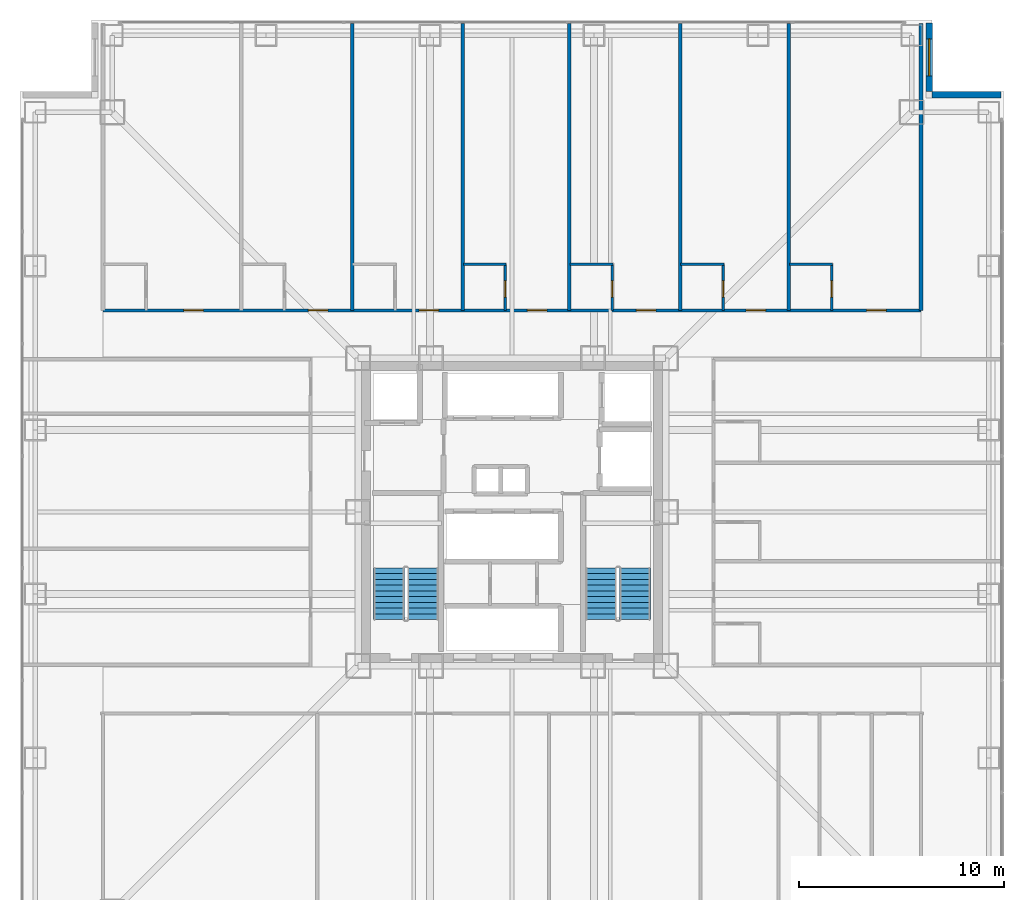
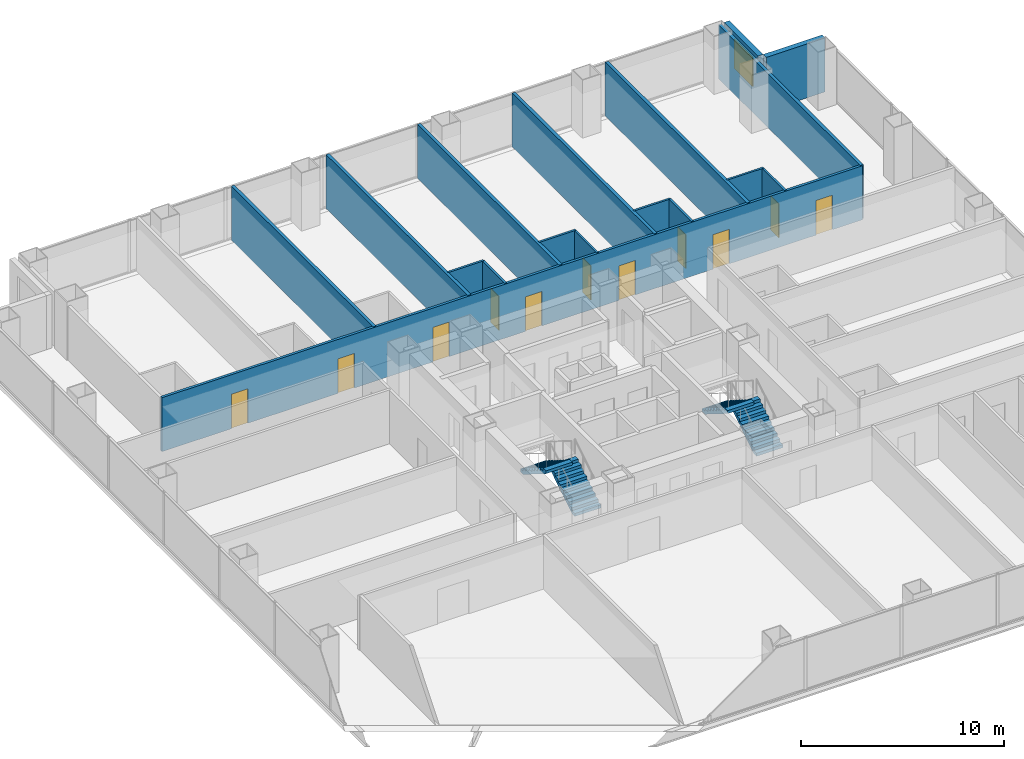
# One storey, part 13 of 16: 17 walls, 11 doors, 4 stair flights, 1 window, 12 openings, 2 elements without a shape of their own.
"""IFC4 building model written with IfcOpenShell, lengths in metres."""

from ifc_helpers import new_model, si_unit, direction, frame, frame_2d, origin, place, context, subcontext, project, spatial, polyline, rectangle, outline, extrude, material, layer, layer_set, type_object, element, fill, aggregate, save


model = new_model("IFC4")

# Units and contexts
model_context = context("Model", 3, precision=1e-05, world=origin(), true_north=direction((0.0, 1.0)))
body_context = subcontext(model_context, "Body", "Model", "MODEL_VIEW")
ifc_project = project(units=[si_unit("LENGTHUNIT", "METRE"), si_unit("AREAUNIT", "SQUARE_METRE"), si_unit("VOLUMEUNIT", "CUBIC_METRE"), si_unit("PLANEANGLEUNIT", "RADIAN"), si_unit("MASSUNIT", "GRAM", prefix="KILO")], contexts=[model_context])

# Site, building, storey
site_placement = place(None, origin())
site = spatial("IfcSite", under=ifc_project, at=site_placement, CompositionType="ELEMENT")
building_placement = place(site_placement, origin())
building = spatial("IfcBuilding", under=site, at=building_placement, Name="Trevonay Congress Spire", CompositionType="ELEMENT")
storey_placement = place(building_placement, frame((0.0, 0.0, 72.5)))
storey = spatial("IfcBuildingStorey", under=building, at=storey_placement, Name="L18", CompositionType="ELEMENT", Elevation=72.5)

# Wall, opening, door
ifc_material_1 = material(Name="Concrete C40/50", Category="concrete")
ifc_layer_1 = layer(ifc_material_1, 0.1201171875, Name="Concrete C40/50")
ifc_layer_set_1 = layer_set([ifc_layer_1], Name="Concrete C40/50")
wall_type_1 = type_object("IfcWallType", Name="WAL-BATH-120", PredefinedType="PLUMBINGWALL", material=ifc_layer_set_1)
wall_1_placement = place(storey_placement, frame((-0.3349609375, 9.830078125, 0.0), z_axis=(0.0, 0.0, 1.0), x_axis=(0.0, 1.0, 0.0)))
wall_1 = element("IfcWall", 1, at=wall_1_placement, inside=storey, type_object=wall_type_1, Name="L18 interior wall WH-L18N-BS4", PredefinedType="PLUMBINGWALL", context=body_context, shape_type="SweptSolid", body=[
    extrude(rectangle(XDim=2.25, YDim=0.1201171875, at=frame_2d((1.125, 0.0))), origin(), (0.0, 0.0, 1.0), 3.25),
])
opening_1_placement = place(wall_1_placement, frame((0.64990234375, 0.0, 0.0)))
opening_1 = element("IfcOpeningElement", 2, at=opening_1_placement, cuts=wall_1, Name="Opening D11", PredefinedType="OPENING", context=body_context, shape_type="SweptSolid", body=[
    extrude(rectangle(XDim=0.800048828125, YDim=2.050048828125, at=frame_2d((0.39990234375, 1.02490234375))), frame((0.0, 0.070068359375, 0.0), z_axis=(0.0, -1.0, 0.0), x_axis=(1.0, 0.0, 0.0)), (0.0, 0.0, 1.0), 0.14013671875),
])
ifc_material_2 = material(Name="Pale Anodised Aluminium EN AW-6063-T6", Category="aluminium")
door_type_1 = type_object("IfcDoorType", Name="DOR-BATH-80", OperationType="NOTDEFINED", PredefinedType="DOOR", material=ifc_material_2)
door_1_placement = place(opening_1_placement, origin())
door_1 = element("IfcDoor", 3, at=door_1_placement, inside=storey, type_object=door_type_1, Name="L18 En-suite Bathroom Door", OperationType="SINGLE_SWING_RIGHT", OverallHeight=2.050048828125, OverallWidth=0.800048828125, PredefinedType="DOOR", context=body_context, shape_type="SweptSolid", body=[
    extrude(rectangle(XDim=0.800048828125, YDim=2.050048828125, at=frame_2d((0.39990234375, 1.02490234375))), frame((0.0, 0.02490234375, 0.0), z_axis=(0.0, -1.0, 0.0), x_axis=(1.0, 0.0, 0.0)), (0.0, 0.0, 1.0), 0.050048828125),
])
fill(opening_1, door_1)

# Wall
wall_2_placement = place(storey_placement, frame((-2.3701171875, 12.080078125, 0.0), z_axis=(0.0, 0.0, 1.0), x_axis=(1.0, 0.0, 0.0)))
element("IfcWall", 4, at=wall_2_placement, inside=storey, type_object=wall_type_1, Name="L18 interior wall WH-L18N-BF4", PredefinedType="PLUMBINGWALL", context=body_context, shape_type="SweptSolid", body=[
    extrude(rectangle(XDim=2.065185546875, YDim=0.1201171875, at=frame_2d((1.03271484375, 0.0))), origin(), (0.0, 0.0, 1.0), 3.25),
])

# Wall, opening, door
wall_3_placement = place(storey_placement, frame((4.89990234375, 9.830078125, 0.0), z_axis=(0.0, 0.0, 1.0), x_axis=(0.0, 1.0, 0.0)))
wall_3 = element("IfcWall", 5, at=wall_3_placement, inside=storey, type_object=wall_type_1, Name="L18 interior wall WH-L18N-BS5", PredefinedType="PLUMBINGWALL", context=body_context, shape_type="SweptSolid", body=[
    extrude(rectangle(XDim=2.25, YDim=0.1201171875, at=frame_2d((1.125, 0.0))), origin(), (0.0, 0.0, 1.0), 3.25),
])
opening_2_placement = place(wall_3_placement, frame((0.64990234375, 0.0, 0.0)))
opening_2 = element("IfcOpeningElement", 6, at=opening_2_placement, cuts=wall_3, Name="Opening D11", PredefinedType="OPENING", context=body_context, shape_type="SweptSolid", body=[
    extrude(rectangle(XDim=0.800048828125, YDim=2.050048828125, at=frame_2d((0.39990234375, 1.02490234375))), frame((0.0, 0.070068359375, 0.0), z_axis=(0.0, -1.0, 0.0), x_axis=(1.0, 0.0, 0.0)), (0.0, 0.0, 1.0), 0.14013671875),
])
door_2_placement = place(opening_2_placement, origin())
door_2 = element("IfcDoor", 7, at=door_2_placement, inside=storey, type_object=door_type_1, Name="L18 En-suite Bathroom Door", OperationType="SINGLE_SWING_LEFT", OverallHeight=2.050048828125, OverallWidth=0.800048828125, PredefinedType="DOOR", context=body_context, shape_type="SweptSolid", body=[
    extrude(rectangle(XDim=0.800048828125, YDim=2.050048828125, at=frame_2d((0.39990234375, 1.02490234375))), frame((0.0, 0.02490234375, 0.0), z_axis=(0.0, -1.0, 0.0), x_axis=(1.0, 0.0, 0.0)), (0.0, 0.0, 1.0), 0.050048828125),
])
fill(opening_2, door_2)

# Wall
wall_4_placement = place(storey_placement, frame((2.830078125, 12.080078125, 0.0), z_axis=(0.0, 0.0, 1.0), x_axis=(1.0, 0.0, 0.0)))
element("IfcWall", 8, at=wall_4_placement, inside=storey, type_object=wall_type_1, Name="L18 interior wall WH-L18N-BF5", PredefinedType="PLUMBINGWALL", context=body_context, shape_type="SweptSolid", body=[
    extrude(rectangle(XDim=2.099853515625, YDim=0.1201171875, at=frame_2d((1.0498046875, 0.0))), origin(), (0.0, 0.0, 1.0), 3.25),
])

# Wall, opening, door
wall_5_placement = place(storey_placement, frame((10.300048828125, 9.830078125, 0.0), z_axis=(0.0, 0.0, 1.0), x_axis=(0.0, 1.0, 0.0)))
wall_5 = element("IfcWall", 9, at=wall_5_placement, inside=storey, type_object=wall_type_1, Name="L18 interior wall WH-L18N-BS6", PredefinedType="PLUMBINGWALL", context=body_context, shape_type="SweptSolid", body=[
    extrude(rectangle(XDim=2.25, YDim=0.1201171875, at=frame_2d((1.125, 0.0))), origin(), (0.0, 0.0, 1.0), 3.25),
])
opening_3_placement = place(wall_5_placement, frame((0.64990234375, 0.0, 0.0)))
opening_3 = element("IfcOpeningElement", 10, at=opening_3_placement, cuts=wall_5, Name="Opening D11", PredefinedType="OPENING", context=body_context, shape_type="SweptSolid", body=[
    extrude(rectangle(XDim=0.800048828125, YDim=2.050048828125, at=frame_2d((0.39990234375, 1.02490234375))), frame((0.0, 0.070068359375, 0.0), z_axis=(0.0, -1.0, 0.0), x_axis=(1.0, 0.0, 0.0)), (0.0, 0.0, 1.0), 0.14013671875),
])
door_3_placement = place(opening_3_placement, origin())
door_3 = element("IfcDoor", 11, at=door_3_placement, inside=storey, type_object=door_type_1, Name="L18 En-suite Bathroom Door", OperationType="SINGLE_SWING_RIGHT", OverallHeight=2.050048828125, OverallWidth=0.800048828125, PredefinedType="DOOR", context=body_context, shape_type="SweptSolid", body=[
    extrude(rectangle(XDim=0.800048828125, YDim=2.050048828125, at=frame_2d((0.39990234375, 1.02490234375))), frame((0.0, 0.02490234375, 0.0), z_axis=(0.0, -1.0, 0.0), x_axis=(1.0, 0.0, 0.0)), (0.0, 0.0, 1.0), 0.050048828125),
])
fill(opening_3, door_3)

# Wall
wall_6_placement = place(storey_placement, frame((8.22998046875, 12.080078125, 0.0), z_axis=(0.0, 0.0, 1.0), x_axis=(1.0, 0.0, 0.0)))
element("IfcWall", 12, at=wall_6_placement, inside=storey, type_object=wall_type_1, Name="L18 interior wall WH-L18N-BF6", PredefinedType="PLUMBINGWALL", context=body_context, shape_type="SweptSolid", body=[
    extrude(rectangle(XDim=2.10009765625, YDim=0.1201171875, at=frame_2d((1.050048828125, 0.0))), origin(), (0.0, 0.0, 1.0), 3.25),
])

# Wall, opening, door
wall_7_placement = place(storey_placement, frame((15.60009765625, 9.830078125, 0.0), z_axis=(0.0, 0.0, 1.0), x_axis=(0.0, 1.0, 0.0)))
wall_7 = element("IfcWall", 13, at=wall_7_placement, inside=storey, type_object=wall_type_1, Name="L18 interior wall WH-L18N-BS7", PredefinedType="PLUMBINGWALL", context=body_context, shape_type="SweptSolid", body=[
    extrude(rectangle(XDim=2.25, YDim=0.1201171875, at=frame_2d((1.125, 0.0))), origin(), (0.0, 0.0, 1.0), 3.25),
])
opening_4_placement = place(wall_7_placement, frame((0.64990234375, 0.0, 0.0)))
opening_4 = element("IfcOpeningElement", 14, at=opening_4_placement, cuts=wall_7, Name="Opening D11", PredefinedType="OPENING", context=body_context, shape_type="SweptSolid", body=[
    extrude(rectangle(XDim=0.800048828125, YDim=2.050048828125, at=frame_2d((0.39990234375, 1.02490234375))), frame((0.0, 0.070068359375, 0.0), z_axis=(0.0, -1.0, 0.0), x_axis=(1.0, 0.0, 0.0)), (0.0, 0.0, 1.0), 0.14013671875),
])
door_4_placement = place(opening_4_placement, origin())
door_4 = element("IfcDoor", 15, at=door_4_placement, inside=storey, type_object=door_type_1, Name="L18 En-suite Bathroom Door", OperationType="SINGLE_SWING_LEFT", OverallHeight=2.050048828125, OverallWidth=0.800048828125, PredefinedType="DOOR", context=body_context, shape_type="SweptSolid", body=[
    extrude(rectangle(XDim=0.800048828125, YDim=2.050048828125, at=frame_2d((0.39990234375, 1.02490234375))), frame((0.0, 0.02490234375, 0.0), z_axis=(0.0, -1.0, 0.0), x_axis=(1.0, 0.0, 0.0)), (0.0, 0.0, 1.0), 0.050048828125),
])
fill(opening_4, door_4)

# Wall
wall_8_placement = place(storey_placement, frame((13.530029296875, 12.080078125, 0.0), z_axis=(0.0, 0.0, 1.0), x_axis=(1.0, 0.0, 0.0)))
element("IfcWall", 16, at=wall_8_placement, inside=storey, type_object=wall_type_1, Name="L18 interior wall WH-L18N-BF7", PredefinedType="PLUMBINGWALL", context=body_context, shape_type="SweptSolid", body=[
    extrude(rectangle(XDim=2.099853515625, YDim=0.1201171875, at=frame_2d((1.0498046875, 0.0))), origin(), (0.0, 0.0, 1.0), 3.25),
])

# Wall, openings, doors
ifc_layer_2 = layer(ifc_material_1, 0.14990234375, Name="Concrete C40/50")
ifc_layer_set_2 = layer_set([ifc_layer_2], Name="Concrete C40/50")
wall_type_2 = type_object("IfcWallType", Name="WAL-CORR-150", PredefinedType="PARTITIONING", material=ifc_layer_set_2)
wall_9_placement = place(storey_placement, frame((-19.949951171875, 9.830078125, 0.0), z_axis=(0.0, 0.0, 1.0), x_axis=(1.0, 0.0, 0.0)))
wall_9 = element("IfcWall", 17, at=wall_9_placement, inside=storey, type_object=wall_type_2, Name="L18 interior wall WH-L18N-COR", PredefinedType="PARTITIONING", context=body_context, shape_type="SweptSolid", body=[
    extrude(rectangle(XDim=39.89990234375, YDim=0.14990234375, at=frame_2d((19.949951171875, 0.0))), origin(), (0.0, 0.0, 1.0), 3.25),
])
opening_5_placement = place(wall_9_placement, frame((3.945068359375, 0.0, 0.0)))
opening_5 = element("IfcOpeningElement", 18, at=opening_5_placement, cuts=wall_9, Name="Opening D08", PredefinedType="OPENING", context=body_context, shape_type="SweptSolid", body=[
    extrude(rectangle(XDim=0.949951171875, YDim=2.080078125, at=frame_2d((0.47509765625, 1.0400390625))), frame((0.0, 0.0849609375, 0.0), z_axis=(0.0, -1.0, 0.0), x_axis=(1.0, 0.0, 0.0)), (0.0, 0.0, 1.0), 0.169921875),
])
opening_6_placement = place(wall_9_placement, frame((10.02001953125, 0.0, 0.0)))
opening_6 = element("IfcOpeningElement", 19, at=opening_6_placement, cuts=wall_9, Name="Opening D08", PredefinedType="OPENING", context=body_context, shape_type="SweptSolid", body=[
    extrude(rectangle(XDim=0.949951171875, YDim=2.080078125, at=frame_2d((0.47509765625, 1.0400390625))), frame((0.0, 0.0849609375, 0.0), z_axis=(0.0, -1.0, 0.0), x_axis=(1.0, 0.0, 0.0)), (0.0, 0.0, 1.0), 0.169921875),
])
opening_7_placement = place(wall_9_placement, frame((15.419921875, 0.0, 0.0)))
opening_7 = element("IfcOpeningElement", 20, at=opening_7_placement, cuts=wall_9, Name="Opening D08", PredefinedType="OPENING", context=body_context, shape_type="SweptSolid", body=[
    extrude(rectangle(XDim=0.949951171875, YDim=2.080078125, at=frame_2d((0.47509765625, 1.0400390625))), frame((0.0, 0.0849609375, 0.0), z_axis=(0.0, -1.0, 0.0), x_axis=(1.0, 0.0, 0.0)), (0.0, 0.0, 1.0), 0.169921875),
])
opening_8_placement = place(wall_9_placement, frame((20.702392578125, 0.0, 0.0)))
opening_8 = element("IfcOpeningElement", 21, at=opening_8_placement, cuts=wall_9, Name="Opening D08", PredefinedType="OPENING", context=body_context, shape_type="SweptSolid", body=[
    extrude(rectangle(XDim=0.949951171875, YDim=2.080078125, at=frame_2d((0.47509765625, 1.0400390625))), frame((0.0, 0.0849609375, 0.0), z_axis=(0.0, -1.0, 0.0), x_axis=(1.0, 0.0, 0.0)), (0.0, 0.0, 1.0), 0.169921875),
])
opening_9_placement = place(wall_9_placement, frame((26.02001953125, 0.0, 0.0)))
opening_9 = element("IfcOpeningElement", 22, at=opening_9_placement, cuts=wall_9, Name="Opening D08", PredefinedType="OPENING", context=body_context, shape_type="SweptSolid", body=[
    extrude(rectangle(XDim=0.949951171875, YDim=2.080078125, at=frame_2d((0.47509765625, 1.0400390625))), frame((0.0, 0.0849609375, 0.0), z_axis=(0.0, -1.0, 0.0), x_axis=(1.0, 0.0, 0.0)), (0.0, 0.0, 1.0), 0.169921875),
])
opening_10_placement = place(wall_9_placement, frame((31.3701171875, 0.0, 0.0)))
opening_10 = element("IfcOpeningElement", 23, at=opening_10_placement, cuts=wall_9, Name="Opening D08", PredefinedType="OPENING", context=body_context, shape_type="SweptSolid", body=[
    extrude(rectangle(XDim=0.949951171875, YDim=2.080078125, at=frame_2d((0.47509765625, 1.0400390625))), frame((0.0, 0.0849609375, 0.0), z_axis=(0.0, -1.0, 0.0), x_axis=(1.0, 0.0, 0.0)), (0.0, 0.0, 1.0), 0.169921875),
])
opening_11_placement = place(wall_9_placement, frame((37.2451171875, 0.0, 0.0)))
opening_11 = element("IfcOpeningElement", 24, at=opening_11_placement, cuts=wall_9, Name="Opening D08", PredefinedType="OPENING", context=body_context, shape_type="SweptSolid", body=[
    extrude(rectangle(XDim=0.949951171875, YDim=2.080078125, at=frame_2d((0.47509765625, 1.0400390625))), frame((0.0, 0.0849609375, 0.0), z_axis=(0.0, -1.0, 0.0), x_axis=(1.0, 0.0, 0.0)), (0.0, 0.0, 1.0), 0.169921875),
])
door_type_2 = type_object("IfcDoorType", Name="DOR-SUITE-95", OperationType="NOTDEFINED", PredefinedType="DOOR", material=ifc_material_2)
door_5_placement = place(opening_5_placement, origin())
door_5 = element("IfcDoor", 25, at=door_5_placement, inside=storey, type_object=door_type_2, Name="L18 Corner Hotel Suite Entrance Door", OperationType="SINGLE_SWING_RIGHT", OverallHeight=2.080078125, OverallWidth=0.949951171875, PredefinedType="DOOR", context=body_context, shape_type="SweptSolid", body=[
    extrude(rectangle(XDim=0.949951171875, YDim=2.080078125, at=frame_2d((0.47509765625, 1.0400390625))), frame((0.0, 0.02490234375, 0.0), z_axis=(0.0, -1.0, 0.0), x_axis=(1.0, 0.0, 0.0)), (0.0, 0.0, 1.0), 0.050048828125),
])
fill(opening_5, door_5)
door_6_placement = place(opening_6_placement, origin())
door_6 = element("IfcDoor", 26, at=door_6_placement, inside=storey, type_object=door_type_2, Name="L18 Hotel Guest Room Entrance Door", OperationType="SINGLE_SWING_LEFT", OverallHeight=2.080078125, OverallWidth=0.949951171875, PredefinedType="DOOR", context=body_context, shape_type="SweptSolid", body=[
    extrude(rectangle(XDim=0.949951171875, YDim=2.080078125, at=frame_2d((0.47509765625, 1.0400390625))), frame((0.0, 0.02490234375, 0.0), z_axis=(0.0, -1.0, 0.0), x_axis=(1.0, 0.0, 0.0)), (0.0, 0.0, 1.0), 0.050048828125),
])
fill(opening_6, door_6)
door_7_placement = place(opening_7_placement, origin())
door_7 = element("IfcDoor", 27, at=door_7_placement, inside=storey, type_object=door_type_2, Name="L18 Hotel Guest Room Entrance Door", OperationType="SINGLE_SWING_RIGHT", OverallHeight=2.080078125, OverallWidth=0.949951171875, PredefinedType="DOOR", context=body_context, shape_type="SweptSolid", body=[
    extrude(rectangle(XDim=0.949951171875, YDim=2.080078125, at=frame_2d((0.47509765625, 1.0400390625))), frame((0.0, 0.02490234375, 0.0), z_axis=(0.0, -1.0, 0.0), x_axis=(1.0, 0.0, 0.0)), (0.0, 0.0, 1.0), 0.050048828125),
])
fill(opening_7, door_7)
door_8_placement = place(opening_8_placement, origin())
door_8 = element("IfcDoor", 28, at=door_8_placement, inside=storey, type_object=door_type_2, Name="L18 Hotel Guest Room Entrance Door", OperationType="SINGLE_SWING_LEFT", OverallHeight=2.080078125, OverallWidth=0.949951171875, PredefinedType="DOOR", context=body_context, shape_type="SweptSolid", body=[
    extrude(rectangle(XDim=0.949951171875, YDim=2.080078125, at=frame_2d((0.47509765625, 1.0400390625))), frame((0.0, 0.02490234375, 0.0), z_axis=(0.0, -1.0, 0.0), x_axis=(1.0, 0.0, 0.0)), (0.0, 0.0, 1.0), 0.050048828125),
])
fill(opening_8, door_8)
door_9_placement = place(opening_9_placement, origin())
door_9 = element("IfcDoor", 29, at=door_9_placement, inside=storey, type_object=door_type_2, Name="L18 Hotel Guest Room Entrance Door", OperationType="SINGLE_SWING_RIGHT", OverallHeight=2.080078125, OverallWidth=0.949951171875, PredefinedType="DOOR", context=body_context, shape_type="SweptSolid", body=[
    extrude(rectangle(XDim=0.949951171875, YDim=2.080078125, at=frame_2d((0.47509765625, 1.0400390625))), frame((0.0, 0.02490234375, 0.0), z_axis=(0.0, -1.0, 0.0), x_axis=(1.0, 0.0, 0.0)), (0.0, 0.0, 1.0), 0.050048828125),
])
fill(opening_9, door_9)
door_10_placement = place(opening_10_placement, origin())
door_10 = element("IfcDoor", 30, at=door_10_placement, inside=storey, type_object=door_type_2, Name="L18 Hotel Guest Room Entrance Door", OperationType="SINGLE_SWING_LEFT", OverallHeight=2.080078125, OverallWidth=0.949951171875, PredefinedType="DOOR", context=body_context, shape_type="SweptSolid", body=[
    extrude(rectangle(XDim=0.949951171875, YDim=2.080078125, at=frame_2d((0.47509765625, 1.0400390625))), frame((0.0, 0.02490234375, 0.0), z_axis=(0.0, -1.0, 0.0), x_axis=(1.0, 0.0, 0.0)), (0.0, 0.0, 1.0), 0.050048828125),
])
fill(opening_10, door_10)
door_11_placement = place(opening_11_placement, origin())
door_11 = element("IfcDoor", 31, at=door_11_placement, inside=storey, type_object=door_type_2, Name="L18 Corner Hotel Suite Entrance Door", OperationType="SINGLE_SWING_RIGHT", OverallHeight=2.080078125, OverallWidth=0.949951171875, PredefinedType="DOOR", context=body_context, shape_type="SweptSolid", body=[
    extrude(rectangle(XDim=0.949951171875, YDim=2.080078125, at=frame_2d((0.47509765625, 1.0400390625))), frame((0.0, 0.02490234375, 0.0), z_axis=(0.0, -1.0, 0.0), x_axis=(1.0, 0.0, 0.0)), (0.0, 0.0, 1.0), 0.050048828125),
])
fill(opening_11, door_11)

# Wall, opening, window
ifc_material_3 = material(Name="Precast concrete C40/50", Category="concrete")
ifc_layer_3 = layer(ifc_material_3, 0.300048828125, Name="Precast concrete C40/50")
ifc_layer_set_3 = layer_set([ifc_layer_3], Name="Precast concrete C40/50")
wall_type_3 = type_object("IfcWallType", Name="WAL-EXT-PRECAST-300", PredefinedType="SOLIDWALL", material=ifc_layer_set_3)
wall_10_placement = place(storey_placement, frame((20.35009765625, 23.85009765625, 0.0), z_axis=(0.0, 0.0, 1.0), x_axis=(0.0, -1.0, 0.0)))
wall_10 = element("IfcWall", 32, at=wall_10_placement, inside=storey, type_object=wall_type_3, Name="L18 NE re-entrant notch exterior wall 1", PredefinedType="SOLIDWALL", context=body_context, shape_type="SweptSolid", body=[
    extrude(rectangle(XDim=3.35009765625, YDim=0.300048828125, at=frame_2d((1.675048828125, 0.0))), origin(), (0.0, 0.0, 1.0), 3.25),
])
opening_12_placement = place(wall_10_placement, frame((0.77490234375, 0.0, 0.89990234375)))
opening_12 = element("IfcOpeningElement", 33, at=opening_12_placement, cuts=wall_10, Name="Opening WN01", PredefinedType="OPENING", context=body_context, shape_type="SweptSolid", body=[
    extrude(rectangle(XDim=1.800048828125, YDim=1.800048828125, at=frame_2d((0.89990234375, 0.89990234375))), frame((0.0, 0.16015625, 0.0), z_axis=(0.0, -1.0, 0.0), x_axis=(1.0, 0.0, 0.0)), (0.0, 0.0, 1.0), 0.320068359375),
])
ifc_material_4 = material(Name="Insulated Low-E Vision Glass IGU", Category="glass")
window_type = type_object("IfcWindowType", Name="WIN-HOTEL-180X180", PartitioningType="SINGLE_PANEL", PredefinedType="WINDOW", material=ifc_material_4)
window_placement = place(opening_12_placement, origin())
window = element("IfcWindow", 34, at=window_placement, inside=storey, type_object=window_type, Name="L18 NE corner notch window", OverallHeight=1.800048828125, OverallWidth=1.800048828125, PartitioningType="SINGLE_PANEL", PredefinedType="WINDOW", context=body_context, shape_type="SweptSolid", body=[
    extrude(rectangle(XDim=1.800048828125, YDim=1.800048828125, at=frame_2d((0.89990234375, 0.89990234375))), frame((0.0, 0.030029296875, 0.0), z_axis=(0.0, -1.0, 0.0), x_axis=(1.0, 0.0, 0.0)), (0.0, 0.0, 1.0), 0.06005859375),
])
fill(opening_12, window)

# Walls
wall_11_placement = place(storey_placement, frame((23.85009765625, 20.35009765625, 0.0), z_axis=(0.0, 0.0, 1.0), x_axis=(-1.0, 0.0, 0.0)))
element("IfcWall", 35, at=wall_11_placement, inside=storey, type_object=wall_type_3, Name="L18 NE re-entrant notch exterior wall 2", PredefinedType="SOLIDWALL", context=body_context, shape_type="SweptSolid", body=[
    extrude(rectangle(XDim=3.35009765625, YDim=0.300048828125, at=frame_2d((1.675048828125, 0.0))), origin(), (0.0, 0.0, 1.0), 3.25),
])
ifc_layer_4 = layer(ifc_material_1, 0.179931640625, Name="Concrete C40/50")
ifc_layer_set_4 = layer_set([ifc_layer_4], Name="Concrete C40/50")
wall_type_4 = type_object("IfcWallType", Name="WAL-HOTEL-180", PredefinedType="PARTITIONING", material=ifc_layer_set_4)
for number, where, z_axis, x_axis, name in (
    (36, (-7.800048828125, 9.830078125, 0.0), (0.0, 0.0, 1.0), (0.0, 1.0, 0.0), "L18 interior wall WH-L18N-DIV3"),
    (37, (-2.39990234375, 9.830078125, 0.0), (0.0, 0.0, 1.0), (0.0, 1.0, 0.0), "L18 interior wall WH-L18N-DIV4"),
    (38, (2.800048828125, 9.830078125, 0.0), (0.0, 0.0, 1.0), (0.0, 1.0, 0.0), "L18 interior wall WH-L18N-DIV5"),
    (39, (8.199951171875, 9.830078125, 0.0), (0.0, 0.0, 1.0), (0.0, 1.0, 0.0), "L18 interior wall WH-L18N-DIV6"),
    (40, (13.5, 9.830078125, 0.0), (0.0, 0.0, 1.0), (0.0, 1.0, 0.0), "L18 interior wall WH-L18N-DIV7"),
    (41, (19.949951171875, 9.830078125, 0.0), (0.0, 0.0, 1.0), (0.0, 1.0, 0.0), "L18 interior wall WH-L18N-DIV8"),
):
    element("IfcWall", number, at=place(storey_placement, frame(where, z_axis=z_axis, x_axis=x_axis)), inside=storey, type_object=wall_type_4, Name=name, PredefinedType="PARTITIONING", context=body_context, shape_type="SweptSolid", body=[
        extrude(rectangle(XDim=13.989990234375, YDim=0.179931640625, at=frame_2d((6.9951171875, 0.0))), origin(), (0.0, 0.0, 1.0), 3.25),
    ])

# Stair, stair flights
stair_type_1 = type_object("IfcStairType", Name="STR-ST-1", PredefinedType="HALF_TURN_STAIR", material=ifc_material_1)
stair_1_placement = place(storey_placement, origin())
stair_1 = element("IfcStair", 42, at=stair_1_placement, inside=storey, type_object=stair_type_1, Name="L18 Protected Exit Stair ST-1", PredefinedType="HALF_TURN_STAIR")
stair_flight_type_1 = type_object("IfcStairFlightType", Name="SFL-ST-1", PredefinedType="STRAIGHT", material=ifc_material_1)
stair_flight_1_placement = place(storey_placement, frame((-4.35009765625, -5.25, 0.0), z_axis=(0.0, 0.0, 1.0), x_axis=(0.0, 1.0, 0.0)))
stair_flight_1 = element("IfcStairFlight", 43, at=stair_flight_1_placement, type_object=stair_flight_type_1, Name="ST-1 flight 1", NumberOfRisers=10, NumberOfTreads=9, PredefinedType="STRAIGHT", RiserHeight=0.175, TreadLength=0.28, context=body_context, shape_type="SweptSolid", body=[
    extrude(outline(polyline([(0.0, 0.0), (0.0, 0.175048828125), (0.280029296875, 0.175048828125), (0.280029296875, 0.35009765625), (0.56005859375, 0.35009765625), (0.56005859375, 0.52490234375), (0.840087890625, 0.52490234375), (0.840087890625, 0.699951171875), (1.1201171875, 0.699951171875), (1.1201171875, 0.875), (1.39990234375, 0.875), (1.39990234375, 1.050048828125), (1.679931640625, 1.050048828125), (1.679931640625, 1.22509765625), (1.9599609375, 1.22509765625), (1.9599609375, 1.39990234375), (2.239990234375, 1.39990234375), (2.239990234375, 1.574951171875), (2.52001953125, 1.574951171875), (2.52001953125, 1.75), (2.52001953125, 1.398193359375), (0.28271484375, 0.0), (0.0, 0.0)])), frame((0.0, 0.75, 0.0), z_axis=(0.0, -1.0, 0.0), x_axis=(1.0, 0.0, 0.0)), (0.0, 0.0, 1.0), 1.5),
])
stair_flight_2_placement = place(storey_placement, frame((-6.0, -2.72998046875, 1.75), z_axis=(0.0, 0.0, 1.0), x_axis=(0.0, -1.0, 0.0)))
stair_flight_2 = element("IfcStairFlight", 44, at=stair_flight_2_placement, type_object=stair_flight_type_1, Name="ST-1 flight 2", NumberOfRisers=10, NumberOfTreads=9, PredefinedType="STRAIGHT", RiserHeight=0.175, TreadLength=0.28, context=body_context, shape_type="SweptSolid", body=[
    extrude(outline(polyline([(0.0, 0.0), (0.0, 0.175048828125), (0.280029296875, 0.175048828125), (0.280029296875, 0.35009765625), (0.56005859375, 0.35009765625), (0.56005859375, 0.52490234375), (0.840087890625, 0.52490234375), (0.840087890625, 0.699951171875), (1.1201171875, 0.699951171875), (1.1201171875, 0.875), (1.39990234375, 0.875), (1.39990234375, 1.050048828125), (1.679931640625, 1.050048828125), (1.679931640625, 1.22509765625), (1.9599609375, 1.22509765625), (1.9599609375, 1.39990234375), (2.239990234375, 1.39990234375), (2.239990234375, 1.574951171875), (2.52001953125, 1.574951171875), (2.52001953125, 1.75), (2.52001953125, 1.398193359375), (0.28271484375, 0.0), (0.0, 0.0)])), frame((0.0, 0.75, 0.0), z_axis=(0.0, -1.0, 0.0), x_axis=(1.0, 0.0, 0.0)), (0.0, 0.0, 1.0), 1.5),
])
aggregate(stair_1, [stair_flight_1, stair_flight_2])

stair_type_2 = type_object("IfcStairType", Name="STR-ST-2", PredefinedType="HALF_TURN_STAIR", material=ifc_material_1)
stair_2_placement = place(storey_placement, origin())
stair_2 = element("IfcStair", 45, at=stair_2_placement, inside=storey, type_object=stair_type_2, Name="L18 Protected Exit Stair ST-2", PredefinedType="HALF_TURN_STAIR")
stair_flight_type_2 = type_object("IfcStairFlightType", Name="SFL-ST-2", PredefinedType="STRAIGHT", material=ifc_material_1)
stair_flight_3_placement = place(storey_placement, frame((6.0, -5.25, 0.0), z_axis=(0.0, 0.0, 1.0), x_axis=(0.0, 1.0, 0.0)))
stair_flight_3 = element("IfcStairFlight", 46, at=stair_flight_3_placement, type_object=stair_flight_type_2, Name="ST-2 flight 1", NumberOfRisers=10, NumberOfTreads=9, PredefinedType="STRAIGHT", RiserHeight=0.175, TreadLength=0.28, context=body_context, shape_type="SweptSolid", body=[
    extrude(outline(polyline([(0.0, 0.0), (0.0, 0.175048828125), (0.280029296875, 0.175048828125), (0.280029296875, 0.35009765625), (0.56005859375, 0.35009765625), (0.56005859375, 0.52490234375), (0.840087890625, 0.52490234375), (0.840087890625, 0.699951171875), (1.1201171875, 0.699951171875), (1.1201171875, 0.875), (1.39990234375, 0.875), (1.39990234375, 1.050048828125), (1.679931640625, 1.050048828125), (1.679931640625, 1.22509765625), (1.9599609375, 1.22509765625), (1.9599609375, 1.39990234375), (2.239990234375, 1.39990234375), (2.239990234375, 1.574951171875), (2.52001953125, 1.574951171875), (2.52001953125, 1.75), (2.52001953125, 1.398193359375), (0.28271484375, 0.0), (0.0, 0.0)])), frame((0.0, 0.75, 0.0), z_axis=(0.0, -1.0, 0.0), x_axis=(1.0, 0.0, 0.0)), (0.0, 0.0, 1.0), 1.5),
])
stair_flight_4_placement = place(storey_placement, frame((4.35009765625, -2.72998046875, 1.75), z_axis=(0.0, 0.0, 1.0), x_axis=(0.0, -1.0, 0.0)))
stair_flight_4 = element("IfcStairFlight", 47, at=stair_flight_4_placement, type_object=stair_flight_type_2, Name="ST-2 flight 2", NumberOfRisers=10, NumberOfTreads=9, PredefinedType="STRAIGHT", RiserHeight=0.175, TreadLength=0.28, context=body_context, shape_type="SweptSolid", body=[
    extrude(outline(polyline([(0.0, 0.0), (0.0, 0.175048828125), (0.280029296875, 0.175048828125), (0.280029296875, 0.35009765625), (0.56005859375, 0.35009765625), (0.56005859375, 0.52490234375), (0.840087890625, 0.52490234375), (0.840087890625, 0.699951171875), (1.1201171875, 0.699951171875), (1.1201171875, 0.875), (1.39990234375, 0.875), (1.39990234375, 1.050048828125), (1.679931640625, 1.050048828125), (1.679931640625, 1.22509765625), (1.9599609375, 1.22509765625), (1.9599609375, 1.39990234375), (2.239990234375, 1.39990234375), (2.239990234375, 1.574951171875), (2.52001953125, 1.574951171875), (2.52001953125, 1.75), (2.52001953125, 1.398193359375), (0.28271484375, 0.0), (0.0, 0.0)])), frame((0.0, 0.75, 0.0), z_axis=(0.0, -1.0, 0.0), x_axis=(1.0, 0.0, 0.0)), (0.0, 0.0, 1.0), 1.5),
])
aggregate(stair_2, [stair_flight_3, stair_flight_4])

save(model, "model.ifc")
